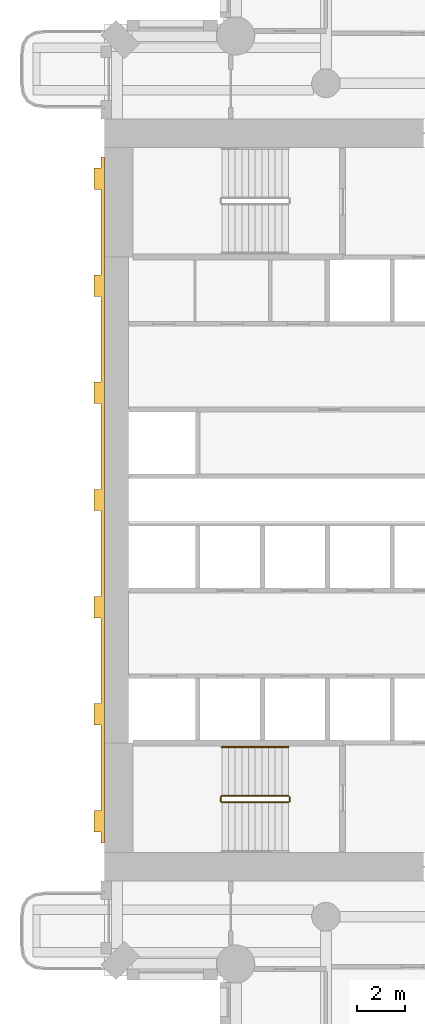
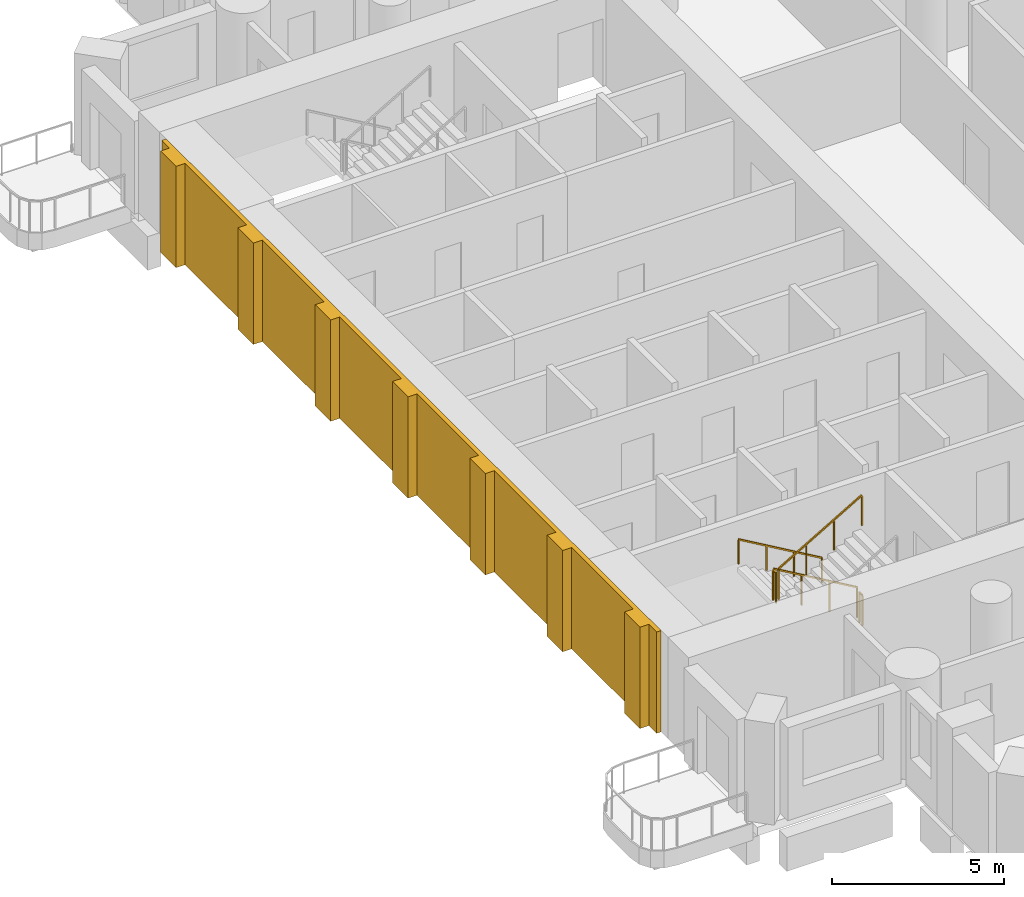
# One storey, part 13 of 19: 5 railings, 1 covering.
"""IFC4 building model written with IfcOpenShell, lengths in metres."""

import ifcopenshell
import ifcopenshell.guid

model = None  # the IFC model being written
_history = None  # IfcOwnerHistory: only IFC2X3 demands one
_inside = {}  # id of a spatial element -> (the spatial element, [elements in it])
_under = {}  # id of a project, library or spatial element -> (it, [spatial elements below it])
_declared = {}  # id of a project -> (the project, [libraries it declares])
_typed = {}  # id of a type object -> (the type object, [elements of that type])
_made_of = {}  # id of a material, layer set ... -> (it, [elements and type objects made of it])


def new_model(schema):
    """Start an empty IFC model of exactly this schema.

    Asked for "IFC4X3", IfcOpenShell would pick the latest addendum, in which some entities
    have other attributes; the version numbers below select the first issue.
    IFC2X3 requires an IfcOwnerHistory on every rooted entity: one is made here for all.
    """
    global model, _history
    if schema == "IFC4X3":
        model = ifcopenshell.file(schema_version=(4, 3, 0, 0))
    else:
        model = ifcopenshell.file(schema=schema)
    _inside.clear()
    _under.clear()
    _declared.clear()
    _typed.clear()
    _made_of.clear()
    _history = None
    if model.schema == "IFC2X3":
        org = make("IfcOrganization", Name="unknown")
        user = make(
            "IfcPersonAndOrganization",
            ThePerson=make("IfcPerson", FamilyName="unknown"),
            TheOrganization=org,
        )
        app = make(
            "IfcApplication",
            ApplicationDeveloper=org,
            Version="unknown",
            ApplicationFullName="unknown",
            ApplicationIdentifier="unknown",
        )
        _history = make(
            "IfcOwnerHistory",
            OwningUser=user,
            OwningApplication=app,
            ChangeAction="ADDED",
            CreationDate=0,
        )
    return model


def make(cls, **values):
    """One entity of the class cls with the attributes given. An attribute that is None is left unset."""
    return model.create_entity(
        cls, **{name: value for name, value in values.items() if value is not None}
    )


def rooted(cls, **values):
    """An entity with a GlobalId (a new one), such as an element, a storey or a relation."""
    return make(cls, GlobalId=ifcopenshell.guid.new(), OwnerHistory=_history, **values)


def si_unit(unit_type, name, prefix=None):
    """IfcSIUnit, for example si_unit("LENGTHUNIT", "METRE", prefix="MILLI")."""
    return make("IfcSIUnit", UnitType=unit_type, Prefix=prefix, Name=name)


def assignment(units):
    """IfcUnitAssignment: the units of a project."""
    return None if units is None else make("IfcUnitAssignment", Units=units)


def point(xyz):
    """IfcCartesianPoint."""
    return None if xyz is None else make("IfcCartesianPoint", Coordinates=xyz)


def direction(xyz):
    """IfcDirection."""
    return None if xyz is None else make("IfcDirection", DirectionRatios=xyz)


def frame(location, z_axis=None, x_axis=None):
    """IfcAxis2Placement3D, a coordinate frame: its origin and axes. An axis left out is left unset."""
    return make(
        "IfcAxis2Placement3D",
        Location=point(location),
        Axis=direction(z_axis),
        RefDirection=direction(x_axis),
    )


def frame_2d(location, x_axis=None):
    """IfcAxis2Placement2D, a coordinate frame in the plane: its origin and x axis."""
    return make(
        "IfcAxis2Placement2D", Location=point(location), RefDirection=direction(x_axis)
    )


def origin():
    """The frame at (0, 0, 0) with its axes left unset."""
    return frame((0.0, 0.0, 0.0))


def origin_2d():
    """The frame at (0, 0) in the plane with its x axis left unset."""
    return frame_2d((0.0, 0.0))


def place(relative_to, where):
    """IfcLocalPlacement: puts the frame where relative to a parent placement (None: the world)."""
    return make(
        "IfcLocalPlacement", PlacementRelTo=relative_to, RelativePlacement=where
    )


def context(
    kind, dimensions, precision=None, world=None, true_north=None, identifier=None
):
    """IfcGeometricRepresentationContext, for example the 3D "Model" context."""
    return make(
        "IfcGeometricRepresentationContext",
        ContextIdentifier=identifier,
        ContextType=kind,
        CoordinateSpaceDimension=dimensions,
        Precision=precision,
        WorldCoordinateSystem=world,
        TrueNorth=true_north,
    )


def subcontext(parent, identifier, kind, view, scale=None):
    """IfcGeometricRepresentationSubContext, for example "Body" below "Model"."""
    return make(
        "IfcGeometricRepresentationSubContext",
        ContextIdentifier=identifier,
        ContextType=kind,
        ParentContext=parent,
        TargetScale=scale,
        TargetView=view,
    )


def project(units=None, contexts=None):
    """IfcProject with its units and contexts."""
    return rooted(
        "IfcProject",
        Name="project",
        RepresentationContexts=contexts,
        UnitsInContext=assignment(units),
    )


def spatial(cls, under=None, at=None, **own):
    """A site, building, storey or space (cls), placed at a placement, below another one or the project."""
    s = rooted(cls, ObjectPlacement=at, **own)
    if under is not None:
        _under.setdefault(under.id(), (under, []))[1].append(s)
    return s


def polyline(points):
    """IfcPolyline through the points."""
    return make("IfcPolyline", Points=[point(p) for p in points])


def profile(cls, at=None, kind="AREA", **sizes):
    """A parametric profile (cls). Its sizes go by their IFC names, for example OverallWidth=200.0."""
    return make(cls, ProfileType=kind, Position=at, **sizes)


def rectangle(**sizes):
    """IfcRectangleProfileDef."""
    return profile("IfcRectangleProfileDef", **sizes)


def outline(outer, holes=None, kind="AREA"):
    """IfcArbitraryClosedProfileDef: a profile drawn as a closed curve; with holes, ...WithVoids."""
    if holes is None:
        return make("IfcArbitraryClosedProfileDef", ProfileType=kind, OuterCurve=outer)
    return make(
        "IfcArbitraryProfileDefWithVoids",
        ProfileType=kind,
        OuterCurve=outer,
        InnerCurves=holes,
    )


def extrude(swept, where, along, depth):
    """IfcExtrudedAreaSolid: the profile swept, set in the frame where, extruded along a direction by depth."""
    return make(
        "IfcExtrudedAreaSolid",
        SweptArea=swept,
        Position=where,
        ExtrudedDirection=direction(along),
        Depth=depth,
    )


def shape(context_of_items, identifier, shape_type, items):
    """IfcShapeRepresentation: the items that make up one representation, for example the "Body"."""
    return make(
        "IfcShapeRepresentation",
        ContextOfItems=context_of_items,
        RepresentationIdentifier=identifier,
        RepresentationType=shape_type,
        Items=items,
    )


def material(Name=None, Category=None):
    """IfcMaterial."""
    return make("IfcMaterial", Name=Name, Category=Category)


def layer(
    of_material, thickness, ventilated=None, Name=None, Category=None, Priority=None
):
    """IfcMaterialLayer: one layer of a wall or slab, of a material (None: an air gap)."""
    return make(
        "IfcMaterialLayer",
        Material=of_material,
        LayerThickness=thickness,
        IsVentilated=ventilated,
        Name=Name,
        Category=Category,
        Priority=Priority,
    )


def layer_set(layers, Name=None):
    """IfcMaterialLayerSet."""
    return make("IfcMaterialLayerSet", MaterialLayers=layers, LayerSetName=Name)


def made_of(thing, what):
    """Note that an element or type object is made of a material, layer set ...; save() writes the relation."""
    if what is not None:
        _made_of.setdefault(what.id(), (what, []))[1].append(thing)
    return thing


def type_object(cls, material=None, **own):
    """A type object (cls), such as IfcWallType, which elements share."""
    return made_of(rooted(cls, **own), material)


def element(
    cls,
    number,
    at=None,
    inside=None,
    cuts=None,
    type_object=None,
    material=None,
    context=None,
    identifier="Body",
    shape_type=None,
    held_by="IfcProductDefinitionShape",
    body=None,
    shapes=None,
    **own,
):
    """One element of the class cls, such as IfcWall. Its Tag is "e" and its number.

    at: its placement. inside: the storey or other place that contains it. cuts: it is an
    opening in that element (IfcRelVoidsElement). A single representation is given by context,
    identifier, shape_type and body (its items); several are given by shapes. held_by: the class
    of the entity that holds the representations. save() writes the other relations.
    """
    e = rooted(cls, Tag="e%d" % number, ObjectPlacement=at, **own)
    if body is not None:
        shapes = [shape(context, identifier, shape_type, body)]
    if shapes is not None:
        e.Representation = make(held_by, Representations=shapes)
    if inside is not None:
        _inside.setdefault(inside.id(), (inside, []))[1].append(e)
    if cuts is not None:
        rooted(
            "IfcRelVoidsElement", RelatingBuildingElement=cuts, RelatedOpeningElement=e
        )
    if type_object is not None:
        _typed.setdefault(type_object.id(), (type_object, []))[1].append(e)
    return made_of(e, material)


def aggregate(whole, parts):
    """IfcRelAggregates: a whole, such as a stair, and the parts it consists of."""
    return rooted("IfcRelAggregates", RelatingObject=whole, RelatedObjects=parts)


def save(model, path):
    """Write the relations noted so far, then the file.

    IfcRelAggregates (storeys below a building ...), IfcRelContainedInSpatialStructure (elements
    in a storey), IfcRelDefinesByType, IfcRelAssociatesMaterial and IfcRelDeclares: one each for
    every whole, place, type object, material and project.
    """
    for whole, parts in _under.values():
        aggregate(whole, parts)
    for where, things in _inside.values():
        rooted(
            "IfcRelContainedInSpatialStructure",
            RelatedElements=things,
            RelatingStructure=where,
        )
    for kind, things in _typed.values():
        rooted("IfcRelDefinesByType", RelatedObjects=things, RelatingType=kind)
    for what, things in _made_of.values():
        rooted("IfcRelAssociatesMaterial", RelatedObjects=things, RelatingMaterial=what)
    for by, libraries in _declared.values():
        rooted("IfcRelDeclares", RelatingContext=by, RelatedDefinitions=libraries)
    model.write(path)


model = new_model("IFC4")

# Units and contexts
model_context = context("Model", 3, precision=1e-05, world=origin(), true_north=direction((0.0, 1.0)))
body_context = subcontext(model_context, "Body", "Model", "MODEL_VIEW")
ifc_project = project(units=[si_unit("LENGTHUNIT", "METRE"), si_unit("AREAUNIT", "SQUARE_METRE"), si_unit("VOLUMEUNIT", "CUBIC_METRE"), si_unit("PLANEANGLEUNIT", "RADIAN"), si_unit("MASSUNIT", "GRAM", prefix="KILO")], contexts=[model_context])

# Site, building, storey
site_placement = place(None, origin())
site = spatial("IfcSite", under=ifc_project, at=site_placement, CompositionType="ELEMENT")
building_placement = place(site_placement, origin())
building = spatial("IfcBuilding", under=site, at=building_placement, Name="Cypress Arch Tower", CompositionType="ELEMENT")
storey_placement = place(building_placement, frame((0.0, 0.0, 66.300048828125)))
storey = spatial("IfcBuildingStorey", under=building, at=storey_placement, Name="L10", CompositionType="ELEMENT", Elevation=66.300048828125)

# Railings
ifc_material_1 = material(Name="Black powder-coated steel square bar 48 mm", Category="steel")
railing_type_1 = type_object("IfcRailingType", Name="Stair handrail HR1", PredefinedType="HANDRAIL", material=ifc_material_1)
railing_1_placement = place(storey_placement, frame((-22.27490234375, -10.375, 0.16357421875)))
element("IfcRailing", 1, at=railing_1_placement, inside=storey, type_object=railing_type_1, Name="L10 A stair handrail 1", PredefinedType="HANDRAIL", context=body_context, shape_type="SweptSolid", body=[
    extrude(rectangle(XDim=0.048095703125, YDim=0.048095703125, at=origin_2d()), frame((0.0, 0.0, 0.8759765625), z_axis=(-0.863360870873, 0.0, 0.504586966384), x_axis=(0.0, -1.0, 0.0)), (0.0, 0.0, 1.0), 3.2431640625),
    extrude(rectangle(XDim=0.0419921875, YDim=0.0419921875, at=origin_2d()), origin(), (0.0, 0.0, 1.0), 0.851806640625),
    extrude(rectangle(XDim=0.0419921875, YDim=0.0419921875, at=origin_2d()), frame((-0.933349609375, 0.0, 0.54541015625)), (0.0, 0.0, 1.0), 0.851806640625),
    extrude(rectangle(XDim=0.0419921875, YDim=0.0419921875, at=origin_2d()), frame((-1.86669921875, 0.0, 1.091064453125)), (0.0, 0.0, 1.0), 0.851806640625),
    extrude(rectangle(XDim=0.0419921875, YDim=0.0419921875, at=origin_2d()), frame((-2.800048828125, 0.0, 1.636474609375)), (0.0, 0.0, 1.0), 0.851806640625),
])
ifc_material_2 = material(Name="Black powder-coated steel balusters", Category="steel")
railing_type_2 = type_object("IfcRailingType", Name="Stair well guard G1", PredefinedType="GUARDRAIL", material=ifc_material_2)
railing_2_placement = place(storey_placement, frame((-22.27490234375, -12.425048828125, 0.16357421875)))
element("IfcRailing", 2, at=railing_2_placement, inside=storey, type_object=railing_type_2, Name="L10 A stair guard 1", PredefinedType="GUARDRAIL", context=body_context, shape_type="SweptSolid", body=[
    extrude(rectangle(XDim=0.048095703125, YDim=0.048095703125, at=origin_2d()), frame((0.0, 0.0, 1.076171875), z_axis=(-0.863360870873, 0.0, 0.504586966384), x_axis=(0.0, -1.0, 0.0)), (0.0, 0.0, 1.0), 3.2431640625),
    extrude(rectangle(XDim=0.0419921875, YDim=0.0419921875, at=origin_2d()), origin(), (0.0, 0.0, 1.0), 1.052001953125),
    extrude(rectangle(XDim=0.0419921875, YDim=0.0419921875, at=origin_2d()), frame((-0.933349609375, 0.0, 0.54541015625)), (0.0, 0.0, 1.0), 1.052001953125),
    extrude(rectangle(XDim=0.0419921875, YDim=0.0419921875, at=origin_2d()), frame((-1.86669921875, 0.0, 1.091064453125)), (0.0, 0.0, 1.0), 1.052001953125),
    extrude(rectangle(XDim=0.0419921875, YDim=0.0419921875, at=origin_2d()), frame((-2.800048828125, 0.0, 1.636474609375)), (0.0, 0.0, 1.0), 1.052001953125),
])
railing_3_placement = place(storey_placement, frame((-25.125, -12.47509765625, 1.800048828125)))
element("IfcRailing", 3, at=railing_3_placement, inside=storey, type_object=railing_type_2, Name="L10 A stair guard 2", PredefinedType="GUARDRAIL", context=body_context, shape_type="SweptSolid", body=[
    extrude(rectangle(XDim=0.048095703125, YDim=0.048095703125, at=origin_2d()), frame((0.0, 0.0, 1.076171875), z_axis=(0.0, -1.0, 0.0), x_axis=(1.0, 0.0, 0.0)), (0.0, 0.0, 1.0), 0.1748046875),
    extrude(rectangle(XDim=0.0419921875, YDim=0.0419921875, at=origin_2d()), origin(), (0.0, 0.0, 1.0), 1.052001953125),
    extrude(rectangle(XDim=0.0419921875, YDim=0.0419921875, at=origin_2d()), frame((0.0, -0.1748046875, 0.0)), (0.0, 0.0, 1.0), 1.052001953125),
])
railing_4_placement = place(storey_placement, frame((-25.074951171875, -12.699951171875, 1.963623046875)))
element("IfcRailing", 4, at=railing_4_placement, inside=storey, type_object=railing_type_2, Name="L10 A stair guard 3", PredefinedType="GUARDRAIL", context=body_context, shape_type="SweptSolid", body=[
    extrude(rectangle(XDim=0.048095703125, YDim=0.048095703125, at=origin_2d()), frame((0.0, 0.0, 1.076171875), z_axis=(0.863393664356, 0.0, 0.504530851732), x_axis=(0.0, 1.0, 0.0)), (0.0, 0.0, 1.0), 3.2431640625),
    extrude(rectangle(XDim=0.0419921875, YDim=0.0419921875, at=origin_2d()), origin(), (0.0, 0.0, 1.0), 1.052001953125),
    extrude(rectangle(XDim=0.0419921875, YDim=0.0419921875, at=origin_2d()), frame((0.933349609375, 0.0, 0.54541015625)), (0.0, 0.0, 1.0), 1.052001953125),
    extrude(rectangle(XDim=0.0419921875, YDim=0.0419921875, at=origin_2d()), frame((1.86669921875, 0.0, 1.0908203125)), (0.0, 0.0, 1.0), 1.052001953125),
    extrude(rectangle(XDim=0.0419921875, YDim=0.0419921875, at=origin_2d()), frame((2.800048828125, 0.0, 1.63623046875)), (0.0, 0.0, 1.0), 1.052001953125),
])
railing_5_placement = place(storey_placement, frame((-22.22509765625, -12.47509765625, 0.0)))
element("IfcRailing", 5, at=railing_5_placement, inside=storey, type_object=railing_type_2, Name="L10 A stair guard 4", PredefinedType="GUARDRAIL", context=body_context, shape_type="SweptSolid", body=[
    extrude(rectangle(XDim=0.048095703125, YDim=0.048095703125, at=origin_2d()), frame((0.0, 0.0, 1.076171875), z_axis=(0.0, -1.0, 0.0), x_axis=(1.0, 0.0, 0.0)), (0.0, 0.0, 1.0), 0.1748046875),
    extrude(rectangle(XDim=0.0419921875, YDim=0.0419921875, at=origin_2d()), origin(), (0.0, 0.0, 1.0), 1.052001953125),
    extrude(rectangle(XDim=0.0419921875, YDim=0.0419921875, at=origin_2d()), frame((0.0, -0.1748046875, 0.0)), (0.0, 0.0, 1.0), 1.052001953125),
])

# Covering
ifc_material_3 = material(Name="Brick (red buff blend)", Category="masonry")
ifc_layer = layer(ifc_material_3, 0.449951171875)
ifc_layer_set = layer_set([ifc_layer], Name="West face brick piers WP450")
covering_type = type_object("IfcCoveringType", Name="West face brick piers WP450", PredefinedType="CLADDING", material=ifc_layer_set)
covering_placement = place(storey_placement, origin())
element("IfcCovering", 6, at=covering_placement, inside=storey, type_object=covering_type, Name="West face brick piers L10", PredefinedType="CLADDING", context=body_context, shape_type="SweptSolid", body=[
    extrude(outline(polyline([(-30.14990234375, -13.050048828125), (-30.14990234375, -9.449951171875), (-30.449951171875, -9.449951171875), (-30.449951171875, -8.550048828125), (-30.14990234375, -8.550048828125), (-30.14990234375, -4.949951171875), (-30.449951171875, -4.949951171875), (-30.449951171875, -4.050048828125), (-30.14990234375, -4.050048828125), (-30.14990234375, -0.449951171875), (-30.449951171875, -0.449951171875), (-30.449951171875, 0.449951171875), (-30.14990234375, 0.449951171875), (-30.14990234375, 4.050048828125), (-30.449951171875, 4.050048828125), (-30.449951171875, 4.949951171875), (-30.14990234375, 4.949951171875), (-30.14990234375, 8.550048828125), (-30.449951171875, 8.550048828125), (-30.449951171875, 9.449951171875), (-30.14990234375, 9.449951171875), (-30.14990234375, 13.050048828125), (-30.449951171875, 13.050048828125), (-30.449951171875, 13.949951171875), (-30.14990234375, 13.949951171875), (-30.14990234375, 14.39990234375), (-30.0, 14.39990234375), (-30.0, -14.39990234375), (-30.14990234375, -14.39990234375), (-30.14990234375, -13.949951171875), (-30.449951171875, -13.949951171875), (-30.449951171875, -13.050048828125), (-30.14990234375, -13.050048828125)])), origin(), (0.0, 0.0, 1.0), 3.599853515625),
])

save(model, "model.ifc")
